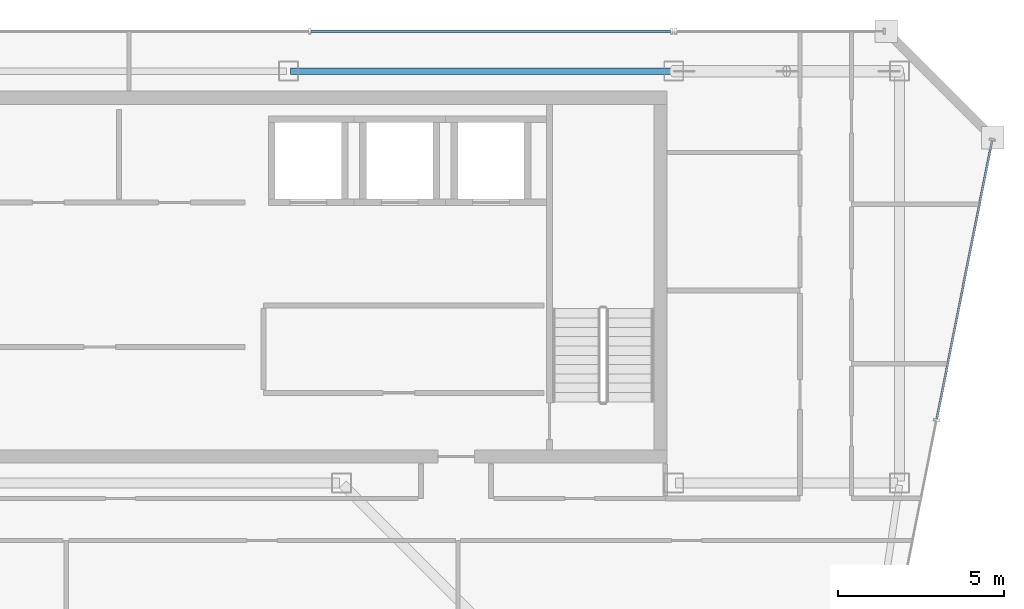
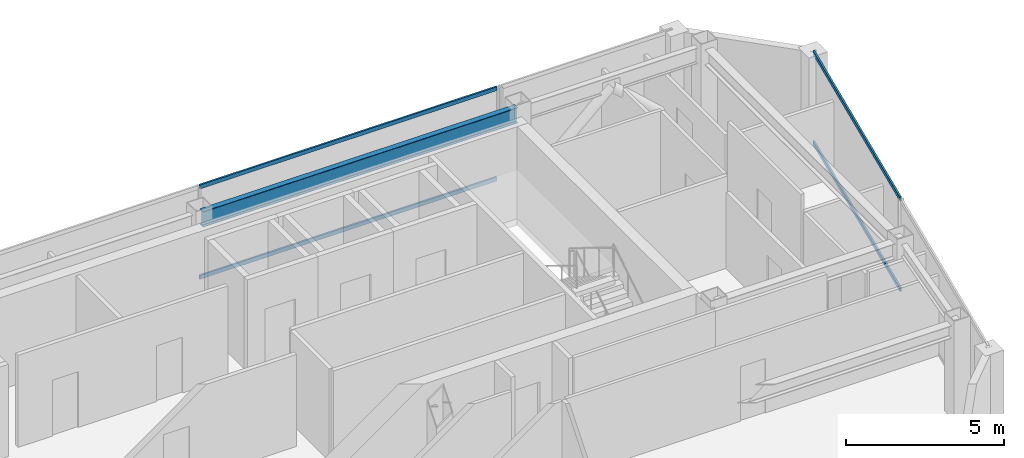
# One storey, part 15 of 23: 4 members, 1 beam, 2 elements without a shape of their own.
"""IFC4 building model written with IfcOpenShell, lengths in metres."""

from ifc_helpers import new_model, si_unit, direction, frame, origin, origin_2d, place, context, subcontext, project, spatial, hollow_rectangle, i_section, extrude, material, material_profile, profile_set, type_object, element, aggregate, save


model = new_model("IFC4")

# Units and contexts
model_context = context("Model", 3, precision=1e-05, world=origin(), true_north=direction((0.0, 1.0)))
body_context = subcontext(model_context, "Body", "Model", "MODEL_VIEW")
ifc_project = project(units=[si_unit("LENGTHUNIT", "METRE"), si_unit("AREAUNIT", "SQUARE_METRE"), si_unit("VOLUMEUNIT", "CUBIC_METRE"), si_unit("PLANEANGLEUNIT", "RADIAN"), si_unit("MASSUNIT", "GRAM", prefix="KILO")], contexts=[model_context])

# Site, building, storey
site_placement = place(None, origin())
site = spatial("IfcSite", under=ifc_project, at=site_placement, CompositionType="ELEMENT")
building_placement = place(site_placement, origin())
building = spatial("IfcBuilding", under=site, at=building_placement, Name="Saevonmaru Cultural Tower", CompositionType="ELEMENT")
storey_placement = place(building_placement, frame((0.0, 0.0, 302.800048828125)))
storey = spatial("IfcBuildingStorey", under=building, at=storey_placement, Name="L72", CompositionType="ELEMENT", Elevation=302.800048828125)

# Beam
ifc_material_1 = material(Name="Steel SM355", Category="steel")
ifc_material_profile_1 = material_profile(ifc_material_1, i_section(OverallWidth=0.199951171875, OverallDepth=0.60009765625, WebThickness=0.010986328125, FlangeThickness=0.01708984375, FilletRadius=0.02197265625, at=origin_2d()), Name="H-600x200x11x17")
ifc_profile_set_1 = profile_set([ifc_material_profile_1], Name="Steel SM355")
beam_type = type_object("IfcBeamType", Name="BM-SP-H600", PredefinedType="SPANDREL", material=ifc_profile_set_1)
beam_placement = place(storey_placement, frame((34.860107421875, 54.800048828125, 3.25), z_axis=(1.0, 0.0, 0.0), x_axis=(0.0, 1.0, 0.0)))
element("IfcBeam", 1, at=beam_placement, inside=storey, type_object=beam_type, Name="L72 North Spine Girder 4", PredefinedType="SPANDREL", context=body_context, shape_type="SweptSolid", body=[
    extrude(i_section(OverallWidth=0.199951171875, OverallDepth=0.60009765625, WebThickness=0.010986328125, FlangeThickness=0.01708984375, FilletRadius=0.02197265625, at=origin_2d()), origin(), (0.0, 0.0, 1.0), 11.47998046875),
])

# Curtain wall, members
ifc_material_2 = material(Name="Satin Bronze Anodised Aluminium", Category="aluminium")
curtain_wall_type = type_object("IfcCurtainWallType", Name="CW-TYP-B", PredefinedType="NOTDEFINED", material=ifc_material_2)
curtain_wall_1_placement = place(storey_placement, origin())
curtain_wall_1 = element("IfcCurtainWall", 2, at=curtain_wall_1_placement, inside=storey, type_object=curtain_wall_type, Name="L72 Unitised Curtain Wall E8", PredefinedType="NOTDEFINED")
ifc_material_profile_2 = material_profile(ifc_material_2, hollow_rectangle(XDim=0.06494140625, YDim=0.14990234375, WallThickness=0.00390625, at=origin_2d()), Name="ALU-TRAN-150x65x4")
ifc_profile_set_2 = profile_set([ifc_material_profile_2], Name="Satin Bronze Anodised Aluminium")
member_type = type_object("IfcMemberType", Name="TR-CW-150x65", PredefinedType="USERDEFINED", material=ifc_profile_set_2)
member_1_placement = place(storey_placement, frame((54.31640625, 44.331787109375, 0.032470703125), z_axis=(0.194994665552, 0.980804302808, 0.0), x_axis=(-0.980804302808, 0.194994665552, 0.0)))
member_1 = element("IfcMember", 3, at=member_1_placement, type_object=member_type, Name="CW-TW-L72-E8 transom 2.1", ObjectType="TRANSOM", PredefinedType="USERDEFINED", context=body_context, shape_type="SweptSolid", body=[
    extrude(hollow_rectangle(XDim=0.06494140625, YDim=0.14990234375, WallThickness=0.00390625, at=origin_2d()), origin(), (0.0, 0.0, 1.0), 8.54150390625),
])
member_2_placement = place(storey_placement, frame((54.31640625, 44.331787109375, 3.517333984375), z_axis=(0.194994665552, 0.980804302808, 0.0), x_axis=(-0.980804302808, 0.194994665552, 0.0)))
member_2 = element("IfcMember", 4, at=member_2_placement, type_object=member_type, Name="CW-TW-L72-E8 transom 2.2", ObjectType="TRANSOM", PredefinedType="USERDEFINED", context=body_context, shape_type="SweptSolid", body=[
    extrude(hollow_rectangle(XDim=0.06494140625, YDim=0.14990234375, WallThickness=0.00390625, at=origin_2d()), origin(), (0.0, 0.0, 1.0), 8.54150390625),
])
aggregate(curtain_wall_1, [member_1, member_2])

curtain_wall_2_placement = place(storey_placement, origin())
curtain_wall_2 = element("IfcCurtainWall", 5, at=curtain_wall_2_placement, inside=storey, type_object=curtain_wall_type, Name="L72 North Spine Unitised Curtain Wall E10B", PredefinedType="NOTDEFINED")
member_3_placement = place(storey_placement, frame((46.3076171875, 56.0, 0.032470703125), z_axis=(-1.0, 0.0, 0.0), x_axis=(0.0, -1.0, 0.0)))
member_3 = element("IfcMember", 6, at=member_3_placement, type_object=member_type, Name="CW-TW-L72-E10B transom 1.1", ObjectType="TRANSOM", PredefinedType="USERDEFINED", context=body_context, shape_type="SweptSolid", body=[
    extrude(hollow_rectangle(XDim=0.06494140625, YDim=0.14990234375, WallThickness=0.00390625, at=origin_2d()), origin(), (0.0, 0.0, 1.0), 10.828369140625),
])
member_4_placement = place(storey_placement, frame((46.3076171875, 56.0, 3.517333984375), z_axis=(-1.0, 0.0, 0.0), x_axis=(0.0, -1.0, 0.0)))
member_4 = element("IfcMember", 7, at=member_4_placement, type_object=member_type, Name="CW-TW-L72-E10B transom 1.2", ObjectType="TRANSOM", PredefinedType="USERDEFINED", context=body_context, shape_type="SweptSolid", body=[
    extrude(hollow_rectangle(XDim=0.06494140625, YDim=0.14990234375, WallThickness=0.00390625, at=origin_2d()), origin(), (0.0, 0.0, 1.0), 10.828369140625),
])
aggregate(curtain_wall_2, [member_3, member_4])

save(model, "model.ifc")
